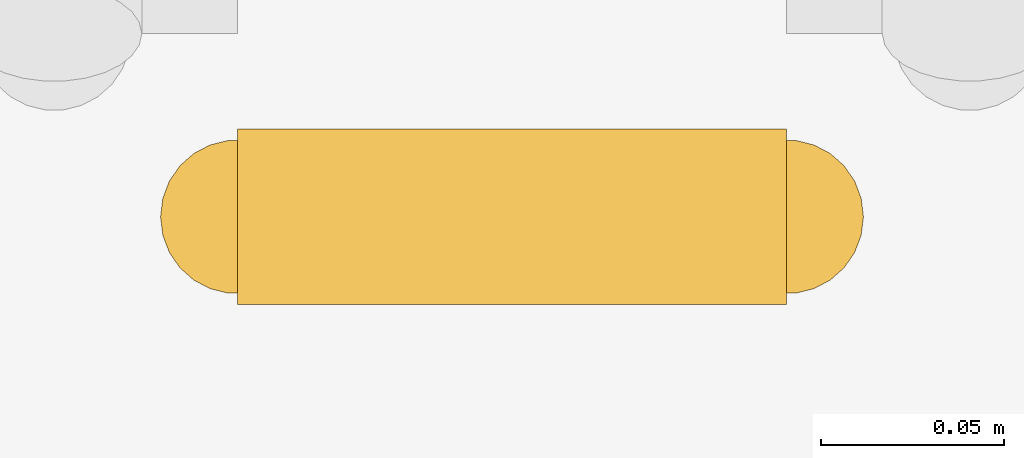
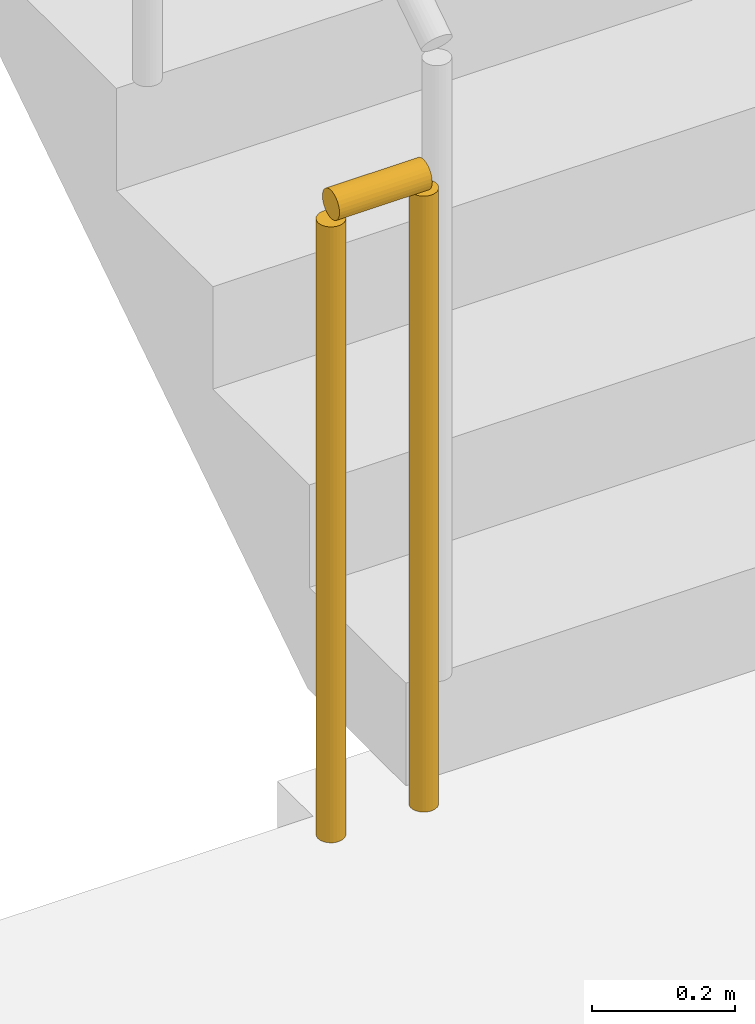
# One storey, part 17 of 20: 1 railing.
"""IFC4 building model written with IfcOpenShell, lengths in metres."""

from ifc_helpers import new_model, si_unit, direction, frame, origin, origin_2d, place, context, subcontext, project, spatial, circle, extrude, material, type_object, element, save


model = new_model("IFC4")

# Units and contexts
model_context = context("Model", 3, precision=1e-05, world=origin(), true_north=direction((0.0, 1.0)))
body_context = subcontext(model_context, "Body", "Model", "MODEL_VIEW")
ifc_project = project(units=[si_unit("LENGTHUNIT", "METRE"), si_unit("AREAUNIT", "SQUARE_METRE"), si_unit("VOLUMEUNIT", "CUBIC_METRE"), si_unit("PLANEANGLEUNIT", "RADIAN"), si_unit("MASSUNIT", "GRAM", prefix="KILO")], contexts=[model_context])

# Site, building, storey
site_placement = place(None, origin())
site = spatial("IfcSite", under=ifc_project, at=site_placement, CompositionType="ELEMENT")
building_placement = place(site_placement, origin())
building = spatial("IfcBuilding", under=site, at=building_placement, Name="Saffron Iwan Residences", CompositionType="ELEMENT")
storey_placement = place(building_placement, frame((0.0, 0.0, 185.0)))
storey = spatial("IfcBuildingStorey", under=building, at=storey_placement, Name="L49", CompositionType="ELEMENT", Elevation=185.0)

# Railing
ifc_material = material(Name="Steel S355", Category="steel")
railing_type = type_object("IfcRailingType", Name="Stair guard 1100", PredefinedType="GUARDRAIL", material=ifc_material)
railing_placement = place(storey_placement, frame((69.699951171875, 67.800048828125, 0.0)))
element("IfcRailing", 1, at=railing_placement, inside=storey, type_object=railing_type, Name="L49 ST-E stair guard 2", PredefinedType="GUARDRAIL", context=body_context, shape_type="SweptSolid", body=[
    extrude(circle(Radius=0.02392578125, at=origin_2d()), frame((0.0, 0.0, 1.076171875), z_axis=(-1.0, 0.0, 0.0), x_axis=(0.0, -1.0, 0.0)), (0.0, 0.0, 1.0), 0.14990234375),
    extrude(circle(Radius=0.02099609375, at=origin_2d()), origin(), (0.0, 0.0, 1.0), 1.052001953125),
    extrude(circle(Radius=0.02099609375, at=origin_2d()), frame((-0.14990234375, 0.0, 0.0)), (0.0, 0.0, 1.0), 1.052001953125),
])

save(model, "model.ifc")
